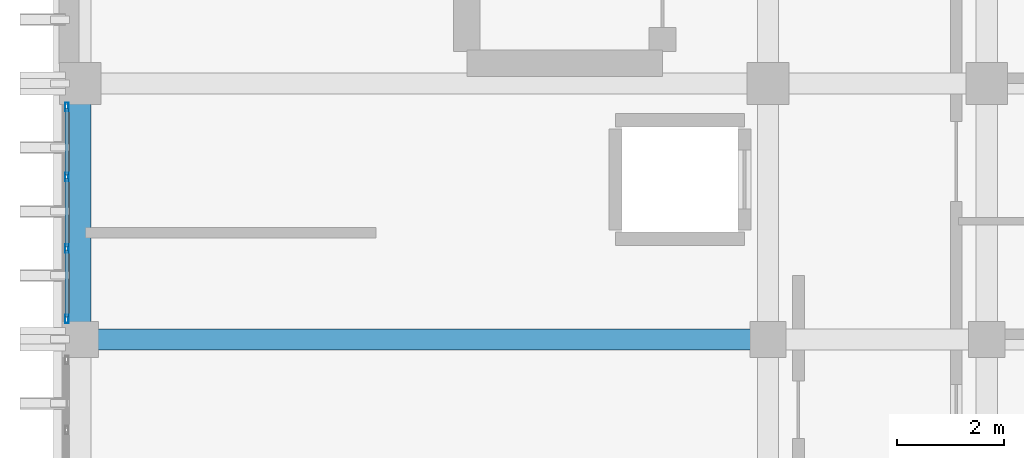
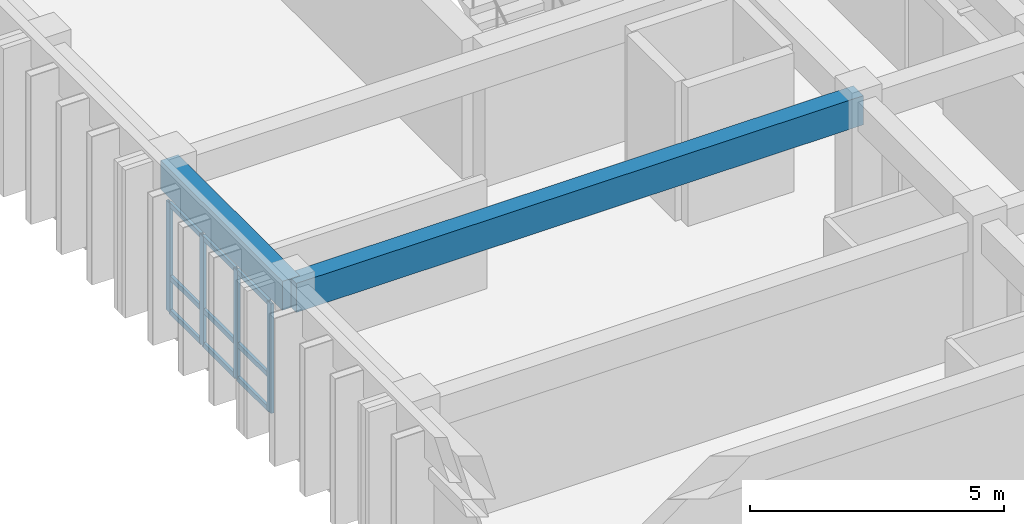
# One storey, part 25 of 68: 13 members, 2 beams, 1 element without a shape of its own.
"""IFC4 building model written with IfcOpenShell, lengths in metres."""

from ifc_helpers import new_model, si_unit, direction, frame, origin, origin_2d, place, context, subcontext, project, spatial, rectangle, hollow_rectangle, extrude, material, layer, layer_set, material_profile, profile_set, type_object, element, aggregate, save


model = new_model("IFC4")

# Units and contexts
model_context = context("Model", 3, precision=1e-05, world=origin(), true_north=direction((0.0, 1.0)))
body_context = subcontext(model_context, "Body", "Model", "MODEL_VIEW")
ifc_project = project(units=[si_unit("LENGTHUNIT", "METRE"), si_unit("AREAUNIT", "SQUARE_METRE"), si_unit("VOLUMEUNIT", "CUBIC_METRE"), si_unit("PLANEANGLEUNIT", "RADIAN"), si_unit("MASSUNIT", "GRAM", prefix="KILO")], contexts=[model_context])

# Site, building, storey
site_placement = place(None, origin())
site = spatial("IfcSite", under=ifc_project, at=site_placement, CompositionType="ELEMENT")
building_placement = place(site_placement, origin())
building = spatial("IfcBuilding", under=site, at=building_placement, Name="Nakhvara Creek Congress Hotel", CompositionType="ELEMENT")
storey_placement = place(building_placement, frame((0.0, 0.0, 24.60009765625)))
storey = spatial("IfcBuildingStorey", under=building, at=storey_placement, Name="L05", CompositionType="ELEMENT", Elevation=24.60009765625)

# Beams
ifc_material_1 = material(Name="Concrete C40/50", Category="concrete")
ifc_material_profile_1 = material_profile(ifc_material_1, rectangle(XDim=0.39990234375, YDim=0.699951171875, at=origin_2d()), Name="RC-BM 400x700", Category="LoadBearing")
ifc_profile_set_1 = profile_set([ifc_material_profile_1], Name="Concrete C40/50")
beam_type = type_object("IfcBeamType", Name="BM-RC-400X700", PredefinedType="BEAM", material=ifc_profile_set_1)
beam_1_placement = place(storey_placement, frame((149.449951171875, 72.0, 2.989990234375), z_axis=(0.0, 1.0, 0.0), x_axis=(-1.0, 0.0, 0.0)))
element("IfcBeam", 1, at=beam_1_placement, inside=storey, type_object=beam_type, Name="Beam B05-L05-2073", PredefinedType="BEAM", context=body_context, shape_type="SweptSolid", body=[
    extrude(rectangle(XDim=0.39990234375, YDim=0.699951171875, at=origin_2d()), origin(), (0.0, 0.0, 1.0), 4.800048828125),
])
beam_2_placement = place(storey_placement, frame((149.449951171875, 72.0, 2.989990234375), z_axis=(1.0, 0.0, 0.0), x_axis=(0.0, 1.0, 0.0)))
element("IfcBeam", 2, at=beam_2_placement, inside=storey, type_object=beam_type, Name="Beam B05-L05-2171", PredefinedType="BEAM", context=body_context, shape_type="SweptSolid", body=[
    extrude(rectangle(XDim=0.39990234375, YDim=0.699951171875, at=origin_2d()), origin(), (0.0, 0.0, 1.0), 12.900146484375),
])

# Curtain wall, members
ifc_material_2 = material(Name="Bronze-anodised aluminium AW-6063-T6 and double-silver low-E glass", Category="aluminium")
ifc_layer = layer(ifc_material_2, 0.199951171875)
ifc_layer_set = layer_set([ifc_layer], Name="Bronze-anodised aluminium AW-6063-T6 and double-silver low-E glass")
curtain_wall_type = type_object("IfcCurtainWallType", Name="CW-HTL-UNIT", PredefinedType="USERDEFINED", material=ifc_layer_set)
curtain_wall_placement = place(storey_placement, origin())
curtain_wall = element("IfcCurtainWall", 3, at=curtain_wall_placement, inside=storey, type_object=curtain_wall_type, Name="Curtain Wall CW215", ObjectType="UNITISED", PredefinedType="USERDEFINED")
ifc_material_3 = material(Name="Bronze-anodised aluminium AW-6063-T6", Category="aluminium")
ifc_material_profile_2 = material_profile(ifc_material_3, hollow_rectangle(XDim=0.06494140625, YDim=0.159912109375, WallThickness=0.00390625, at=origin_2d()), Name="ALU-MULL 65x160x4", Category="LoadBearing")
ifc_profile_set_2 = profile_set([ifc_material_profile_2], Name="Bronze-anodised aluminium AW-6063-T6")
member_type_1 = type_object("IfcMemberType", Name="CW-MULL-160", PredefinedType="MULLION", material=ifc_profile_set_2)
member_1_placement = place(storey_placement, frame((149.199951171875, 72.387451171875, 0.0), z_axis=(0.0, 0.0, 1.0), x_axis=(-1.0, 0.0, 0.0)))
member_1 = element("IfcMember", 4, at=member_1_placement, type_object=member_type_1, Name="CW215 mullion 1", PredefinedType="MULLION", context=body_context, shape_type="SweptSolid", body=[
    extrude(hollow_rectangle(XDim=0.06494140625, YDim=0.159912109375, WallThickness=0.00390625, at=origin_2d()), origin(), (0.0, 0.0, 1.0), 2.6318359375),
])
member_2_placement = place(storey_placement, frame((149.199951171875, 73.70166015625, 0.0), z_axis=(0.0, 0.0, 1.0), x_axis=(-1.0, 0.0, 0.0)))
member_2 = element("IfcMember", 5, at=member_2_placement, type_object=member_type_1, Name="CW215 mullion 2", PredefinedType="MULLION", context=body_context, shape_type="SweptSolid", body=[
    extrude(hollow_rectangle(XDim=0.06494140625, YDim=0.159912109375, WallThickness=0.00390625, at=origin_2d()), origin(), (0.0, 0.0, 1.0), 2.6318359375),
])
member_3_placement = place(storey_placement, frame((149.199951171875, 75.04833984375, 0.0), z_axis=(0.0, 0.0, 1.0), x_axis=(-1.0, 0.0, 0.0)))
member_3 = element("IfcMember", 6, at=member_3_placement, type_object=member_type_1, Name="CW215 mullion 3", PredefinedType="MULLION", context=body_context, shape_type="SweptSolid", body=[
    extrude(hollow_rectangle(XDim=0.06494140625, YDim=0.159912109375, WallThickness=0.00390625, at=origin_2d()), origin(), (0.0, 0.0, 1.0), 2.6318359375),
])
member_4_placement = place(storey_placement, frame((149.199951171875, 76.362548828125, 0.0), z_axis=(0.0, 0.0, 1.0), x_axis=(-1.0, 0.0, 0.0)))
member_4 = element("IfcMember", 7, at=member_4_placement, type_object=member_type_1, Name="CW215 mullion 4", PredefinedType="MULLION", context=body_context, shape_type="SweptSolid", body=[
    extrude(hollow_rectangle(XDim=0.06494140625, YDim=0.159912109375, WallThickness=0.00390625, at=origin_2d()), origin(), (0.0, 0.0, 1.0), 2.6318359375),
])
ifc_material_profile_3 = material_profile(ifc_material_3, hollow_rectangle(XDim=0.06494140625, YDim=0.1201171875, WallThickness=0.00390625, at=origin_2d()), Name="ALU-TRAN 65x120x4", Category="LoadBearing")
ifc_profile_set_3 = profile_set([ifc_material_profile_3], Name="Bronze-anodised aluminium AW-6063-T6")
member_type_2 = type_object("IfcMemberType", Name="CW-TRAN-120", PredefinedType="USERDEFINED", material=ifc_profile_set_3)
member_5_placement = place(storey_placement, frame((149.199951171875, 72.419921875, 0.032470703125), z_axis=(0.0, 1.0, 0.0), x_axis=(-1.0, 0.0, 0.0)))
member_5 = element("IfcMember", 8, at=member_5_placement, type_object=member_type_2, Name="CW215 transom 1.1", ObjectType="TRANSOM", PredefinedType="USERDEFINED", context=body_context, shape_type="SweptSolid", body=[
    extrude(hollow_rectangle(XDim=0.06494140625, YDim=0.1201171875, WallThickness=0.00390625, at=origin_2d()), origin(), (0.0, 0.0, 1.0), 1.249267578125),
])
member_6_placement = place(storey_placement, frame((149.199951171875, 72.419921875, 0.849853515625), z_axis=(0.0, 1.0, 0.0), x_axis=(-1.0, 0.0, 0.0)))
member_6 = element("IfcMember", 9, at=member_6_placement, type_object=member_type_2, Name="CW215 transom 1.2", ObjectType="TRANSOM", PredefinedType="USERDEFINED", context=body_context, shape_type="SweptSolid", body=[
    extrude(hollow_rectangle(XDim=0.06494140625, YDim=0.1201171875, WallThickness=0.00390625, at=origin_2d()), origin(), (0.0, 0.0, 1.0), 1.249267578125),
])
member_7_placement = place(storey_placement, frame((149.199951171875, 72.419921875, 2.599365234375), z_axis=(0.0, 1.0, 0.0), x_axis=(-1.0, 0.0, 0.0)))
member_7 = element("IfcMember", 10, at=member_7_placement, type_object=member_type_2, Name="CW215 transom 1.3", ObjectType="TRANSOM", PredefinedType="USERDEFINED", context=body_context, shape_type="SweptSolid", body=[
    extrude(hollow_rectangle(XDim=0.06494140625, YDim=0.1201171875, WallThickness=0.00390625, at=origin_2d()), origin(), (0.0, 0.0, 1.0), 1.249267578125),
])
member_8_placement = place(storey_placement, frame((149.199951171875, 73.734130859375, 0.032470703125), z_axis=(0.0, 1.0, 0.0), x_axis=(-1.0, 0.0, 0.0)))
member_8 = element("IfcMember", 11, at=member_8_placement, type_object=member_type_2, Name="CW215 transom 2.1", ObjectType="TRANSOM", PredefinedType="USERDEFINED", context=body_context, shape_type="SweptSolid", body=[
    extrude(hollow_rectangle(XDim=0.06494140625, YDim=0.1201171875, WallThickness=0.00390625, at=origin_2d()), origin(), (0.0, 0.0, 1.0), 1.28173828125),
])
member_9_placement = place(storey_placement, frame((149.199951171875, 73.734130859375, 0.849853515625), z_axis=(0.0, 1.0, 0.0), x_axis=(-1.0, 0.0, 0.0)))
member_9 = element("IfcMember", 12, at=member_9_placement, type_object=member_type_2, Name="CW215 transom 2.2", ObjectType="TRANSOM", PredefinedType="USERDEFINED", context=body_context, shape_type="SweptSolid", body=[
    extrude(hollow_rectangle(XDim=0.06494140625, YDim=0.1201171875, WallThickness=0.00390625, at=origin_2d()), origin(), (0.0, 0.0, 1.0), 1.28173828125),
])
member_10_placement = place(storey_placement, frame((149.199951171875, 73.734130859375, 2.599365234375), z_axis=(0.0, 1.0, 0.0), x_axis=(-1.0, 0.0, 0.0)))
member_10 = element("IfcMember", 13, at=member_10_placement, type_object=member_type_2, Name="CW215 transom 2.3", ObjectType="TRANSOM", PredefinedType="USERDEFINED", context=body_context, shape_type="SweptSolid", body=[
    extrude(hollow_rectangle(XDim=0.06494140625, YDim=0.1201171875, WallThickness=0.00390625, at=origin_2d()), origin(), (0.0, 0.0, 1.0), 1.28173828125),
])
member_11_placement = place(storey_placement, frame((149.199951171875, 75.080810546875, 0.032470703125), z_axis=(0.0, 1.0, 0.0), x_axis=(-1.0, 0.0, 0.0)))
member_11 = element("IfcMember", 14, at=member_11_placement, type_object=member_type_2, Name="CW215 transom 3.1", ObjectType="TRANSOM", PredefinedType="USERDEFINED", context=body_context, shape_type="SweptSolid", body=[
    extrude(hollow_rectangle(XDim=0.06494140625, YDim=0.1201171875, WallThickness=0.00390625, at=origin_2d()), origin(), (0.0, 0.0, 1.0), 1.249267578125),
])
member_12_placement = place(storey_placement, frame((149.199951171875, 75.080810546875, 0.849853515625), z_axis=(0.0, 1.0, 0.0), x_axis=(-1.0, 0.0, 0.0)))
member_12 = element("IfcMember", 15, at=member_12_placement, type_object=member_type_2, Name="CW215 transom 3.2", ObjectType="TRANSOM", PredefinedType="USERDEFINED", context=body_context, shape_type="SweptSolid", body=[
    extrude(hollow_rectangle(XDim=0.06494140625, YDim=0.1201171875, WallThickness=0.00390625, at=origin_2d()), origin(), (0.0, 0.0, 1.0), 1.249267578125),
])
member_13_placement = place(storey_placement, frame((149.199951171875, 75.080810546875, 2.599365234375), z_axis=(0.0, 1.0, 0.0), x_axis=(-1.0, 0.0, 0.0)))
member_13 = element("IfcMember", 16, at=member_13_placement, type_object=member_type_2, Name="CW215 transom 3.3", ObjectType="TRANSOM", PredefinedType="USERDEFINED", context=body_context, shape_type="SweptSolid", body=[
    extrude(hollow_rectangle(XDim=0.06494140625, YDim=0.1201171875, WallThickness=0.00390625, at=origin_2d()), origin(), (0.0, 0.0, 1.0), 1.249267578125),
])
aggregate(curtain_wall, [member_1, member_2, member_3, member_4, member_5, member_6, member_7, member_8, member_9, member_10, member_11, member_12, member_13])

save(model, "model.ifc")
